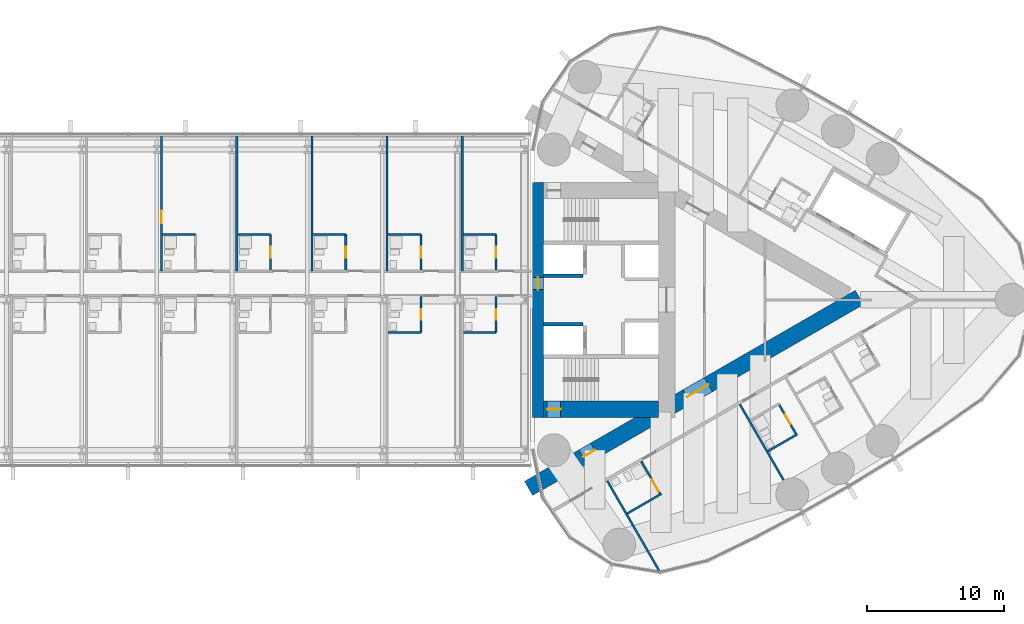
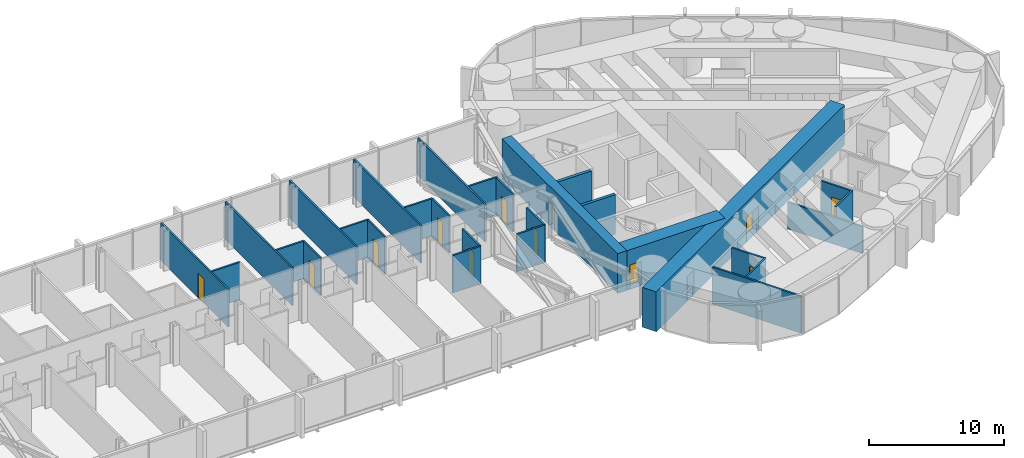
# One storey, part 18 of 23: 29 walls, 13 doors, 13 openings.
"""IFC4 building model written with IfcOpenShell, lengths in metres."""

import ifcopenshell
import ifcopenshell.guid

model = None  # the IFC model being written
_history = None  # IfcOwnerHistory: only IFC2X3 demands one
_inside = {}  # id of a spatial element -> (the spatial element, [elements in it])
_under = {}  # id of a project, library or spatial element -> (it, [spatial elements below it])
_declared = {}  # id of a project -> (the project, [libraries it declares])
_typed = {}  # id of a type object -> (the type object, [elements of that type])
_made_of = {}  # id of a material, layer set ... -> (it, [elements and type objects made of it])


def new_model(schema):
    """Start an empty IFC model of exactly this schema.

    Asked for "IFC4X3", IfcOpenShell would pick the latest addendum, in which some entities
    have other attributes; the version numbers below select the first issue.
    IFC2X3 requires an IfcOwnerHistory on every rooted entity: one is made here for all.
    """
    global model, _history
    if schema == "IFC4X3":
        model = ifcopenshell.file(schema_version=(4, 3, 0, 0))
    else:
        model = ifcopenshell.file(schema=schema)
    _inside.clear()
    _under.clear()
    _declared.clear()
    _typed.clear()
    _made_of.clear()
    _history = None
    if model.schema == "IFC2X3":
        org = make("IfcOrganization", Name="unknown")
        user = make(
            "IfcPersonAndOrganization",
            ThePerson=make("IfcPerson", FamilyName="unknown"),
            TheOrganization=org,
        )
        app = make(
            "IfcApplication",
            ApplicationDeveloper=org,
            Version="unknown",
            ApplicationFullName="unknown",
            ApplicationIdentifier="unknown",
        )
        _history = make(
            "IfcOwnerHistory",
            OwningUser=user,
            OwningApplication=app,
            ChangeAction="ADDED",
            CreationDate=0,
        )
    return model


def make(cls, **values):
    """One entity of the class cls with the attributes given. An attribute that is None is left unset."""
    return model.create_entity(
        cls, **{name: value for name, value in values.items() if value is not None}
    )


def rooted(cls, **values):
    """An entity with a GlobalId (a new one), such as an element, a storey or a relation."""
    return make(cls, GlobalId=ifcopenshell.guid.new(), OwnerHistory=_history, **values)


def si_unit(unit_type, name, prefix=None):
    """IfcSIUnit, for example si_unit("LENGTHUNIT", "METRE", prefix="MILLI")."""
    return make("IfcSIUnit", UnitType=unit_type, Prefix=prefix, Name=name)


def assignment(units):
    """IfcUnitAssignment: the units of a project."""
    return None if units is None else make("IfcUnitAssignment", Units=units)


def point(xyz):
    """IfcCartesianPoint."""
    return None if xyz is None else make("IfcCartesianPoint", Coordinates=xyz)


def direction(xyz):
    """IfcDirection."""
    return None if xyz is None else make("IfcDirection", DirectionRatios=xyz)


def frame(location, z_axis=None, x_axis=None):
    """IfcAxis2Placement3D, a coordinate frame: its origin and axes. An axis left out is left unset."""
    return make(
        "IfcAxis2Placement3D",
        Location=point(location),
        Axis=direction(z_axis),
        RefDirection=direction(x_axis),
    )


def frame_2d(location, x_axis=None):
    """IfcAxis2Placement2D, a coordinate frame in the plane: its origin and x axis."""
    return make(
        "IfcAxis2Placement2D", Location=point(location), RefDirection=direction(x_axis)
    )


def origin():
    """The frame at (0, 0, 0) with its axes left unset."""
    return frame((0.0, 0.0, 0.0))


def place(relative_to, where):
    """IfcLocalPlacement: puts the frame where relative to a parent placement (None: the world)."""
    return make(
        "IfcLocalPlacement", PlacementRelTo=relative_to, RelativePlacement=where
    )


def context(
    kind, dimensions, precision=None, world=None, true_north=None, identifier=None
):
    """IfcGeometricRepresentationContext, for example the 3D "Model" context."""
    return make(
        "IfcGeometricRepresentationContext",
        ContextIdentifier=identifier,
        ContextType=kind,
        CoordinateSpaceDimension=dimensions,
        Precision=precision,
        WorldCoordinateSystem=world,
        TrueNorth=true_north,
    )


def subcontext(parent, identifier, kind, view, scale=None):
    """IfcGeometricRepresentationSubContext, for example "Body" below "Model"."""
    return make(
        "IfcGeometricRepresentationSubContext",
        ContextIdentifier=identifier,
        ContextType=kind,
        ParentContext=parent,
        TargetScale=scale,
        TargetView=view,
    )


def project(units=None, contexts=None):
    """IfcProject with its units and contexts."""
    return rooted(
        "IfcProject",
        Name="project",
        RepresentationContexts=contexts,
        UnitsInContext=assignment(units),
    )


def spatial(cls, under=None, at=None, **own):
    """A site, building, storey or space (cls), placed at a placement, below another one or the project."""
    s = rooted(cls, ObjectPlacement=at, **own)
    if under is not None:
        _under.setdefault(under.id(), (under, []))[1].append(s)
    return s


def profile(cls, at=None, kind="AREA", **sizes):
    """A parametric profile (cls). Its sizes go by their IFC names, for example OverallWidth=200.0."""
    return make(cls, ProfileType=kind, Position=at, **sizes)


def rectangle(**sizes):
    """IfcRectangleProfileDef."""
    return profile("IfcRectangleProfileDef", **sizes)


def extrude(swept, where, along, depth):
    """IfcExtrudedAreaSolid: the profile swept, set in the frame where, extruded along a direction by depth."""
    return make(
        "IfcExtrudedAreaSolid",
        SweptArea=swept,
        Position=where,
        ExtrudedDirection=direction(along),
        Depth=depth,
    )


def shape(context_of_items, identifier, shape_type, items):
    """IfcShapeRepresentation: the items that make up one representation, for example the "Body"."""
    return make(
        "IfcShapeRepresentation",
        ContextOfItems=context_of_items,
        RepresentationIdentifier=identifier,
        RepresentationType=shape_type,
        Items=items,
    )


def material(Name=None, Category=None):
    """IfcMaterial."""
    return make("IfcMaterial", Name=Name, Category=Category)


def layer(
    of_material, thickness, ventilated=None, Name=None, Category=None, Priority=None
):
    """IfcMaterialLayer: one layer of a wall or slab, of a material (None: an air gap)."""
    return make(
        "IfcMaterialLayer",
        Material=of_material,
        LayerThickness=thickness,
        IsVentilated=ventilated,
        Name=Name,
        Category=Category,
        Priority=Priority,
    )


def layer_set(layers, Name=None):
    """IfcMaterialLayerSet."""
    return make("IfcMaterialLayerSet", MaterialLayers=layers, LayerSetName=Name)


def made_of(thing, what):
    """Note that an element or type object is made of a material, layer set ...; save() writes the relation."""
    if what is not None:
        _made_of.setdefault(what.id(), (what, []))[1].append(thing)
    return thing


def type_object(cls, material=None, **own):
    """A type object (cls), such as IfcWallType, which elements share."""
    return made_of(rooted(cls, **own), material)


def element(
    cls,
    number,
    at=None,
    inside=None,
    cuts=None,
    type_object=None,
    material=None,
    context=None,
    identifier="Body",
    shape_type=None,
    held_by="IfcProductDefinitionShape",
    body=None,
    shapes=None,
    **own,
):
    """One element of the class cls, such as IfcWall. Its Tag is "e" and its number.

    at: its placement. inside: the storey or other place that contains it. cuts: it is an
    opening in that element (IfcRelVoidsElement). A single representation is given by context,
    identifier, shape_type and body (its items); several are given by shapes. held_by: the class
    of the entity that holds the representations. save() writes the other relations.
    """
    e = rooted(cls, Tag="e%d" % number, ObjectPlacement=at, **own)
    if body is not None:
        shapes = [shape(context, identifier, shape_type, body)]
    if shapes is not None:
        e.Representation = make(held_by, Representations=shapes)
    if inside is not None:
        _inside.setdefault(inside.id(), (inside, []))[1].append(e)
    if cuts is not None:
        rooted(
            "IfcRelVoidsElement", RelatingBuildingElement=cuts, RelatedOpeningElement=e
        )
    if type_object is not None:
        _typed.setdefault(type_object.id(), (type_object, []))[1].append(e)
    return made_of(e, material)


def fill(opening, filler):
    """IfcRelFillsElement: the door or window that sits in an opening."""
    return rooted(
        "IfcRelFillsElement",
        RelatingOpeningElement=opening,
        RelatedBuildingElement=filler,
    )


def aggregate(whole, parts):
    """IfcRelAggregates: a whole, such as a stair, and the parts it consists of."""
    return rooted("IfcRelAggregates", RelatingObject=whole, RelatedObjects=parts)


def save(model, path):
    """Write the relations noted so far, then the file.

    IfcRelAggregates (storeys below a building ...), IfcRelContainedInSpatialStructure (elements
    in a storey), IfcRelDefinesByType, IfcRelAssociatesMaterial and IfcRelDeclares: one each for
    every whole, place, type object, material and project.
    """
    for whole, parts in _under.values():
        aggregate(whole, parts)
    for where, things in _inside.values():
        rooted(
            "IfcRelContainedInSpatialStructure",
            RelatedElements=things,
            RelatingStructure=where,
        )
    for kind, things in _typed.values():
        rooted("IfcRelDefinesByType", RelatedObjects=things, RelatingType=kind)
    for what, things in _made_of.values():
        rooted("IfcRelAssociatesMaterial", RelatedObjects=things, RelatingMaterial=what)
    for by, libraries in _declared.values():
        rooted("IfcRelDeclares", RelatingContext=by, RelatedDefinitions=libraries)
    model.write(path)


model = new_model("IFC4")

# Units and contexts
model_context = context("Model", 3, precision=1e-05, world=origin(), true_north=direction((0.0, 1.0)))
body_context = subcontext(model_context, "Body", "Model", "MODEL_VIEW")
ifc_project = project(units=[si_unit("LENGTHUNIT", "METRE"), si_unit("AREAUNIT", "SQUARE_METRE"), si_unit("VOLUMEUNIT", "CUBIC_METRE"), si_unit("PLANEANGLEUNIT", "RADIAN"), si_unit("MASSUNIT", "GRAM", prefix="KILO")], contexts=[model_context])

# Site, building, storey
site_placement = place(None, origin())
site = spatial("IfcSite", under=ifc_project, at=site_placement, CompositionType="ELEMENT")
building_placement = place(site_placement, origin())
building = spatial("IfcBuilding", under=site, at=building_placement, Name="Lancet Gate Hotel", CompositionType="ELEMENT")
storey_placement = place(building_placement, frame((0.0, 0.0, 218.89990234375)))
storey = spatial("IfcBuildingStorey", under=building, at=storey_placement, Name="L58", CompositionType="ELEMENT", Elevation=218.89990234375)

# Wall
ifc_material_1 = material(Name="Moisture resistant board partition")
ifc_layer_1 = layer(ifc_material_1, 0.14990234375)
ifc_layer_set_1 = layer_set([ifc_layer_1], Name="Bathroom wall 150")
wall_type_1 = type_object("IfcWallType", Name="Bathroom wall 150", PredefinedType="PARTITIONING", material=ifc_layer_set_1)
wall_1_placement = place(storey_placement, frame((34.425048828125, -15.633056640625, 0.0), z_axis=(0.0, 0.0, 1.0), x_axis=(0.866018712932, 0.500011588718, 0.0)))
element("IfcWall", 1, at=wall_1_placement, inside=storey, type_object=wall_type_1, Name="T2 bathroom wall 150 L58", PredefinedType="PARTITIONING", context=body_context, shape_type="SweptSolid", body=[
    extrude(rectangle(XDim=2.875, YDim=0.14990234375, at=frame_2d((1.4375, 0.0))), origin(), (0.0, 0.0, 1.0), 3.35009765625),
])

# Wall, opening, door
wall_2_placement = place(storey_placement, frame((35.449951171875, -11.80810546875, 0.0), z_axis=(0.0, 0.0, 1.0), x_axis=(0.49994636267, -0.866056369097, 0.0)))
wall_2 = element("IfcWall", 2, at=wall_2_placement, inside=storey, type_object=wall_type_1, Name="T2 bathroom wall 150 L58", PredefinedType="PARTITIONING", context=body_context, shape_type="SweptSolid", body=[
    extrude(rectangle(XDim=2.800048828125, YDim=0.14990234375, at=frame_2d((1.39990234375, 0.0))), origin(), (0.0, 0.0, 1.0), 3.35009765625),
])
opening_1_placement = place(wall_2_placement, frame((1.550048828125, 0.0, 0.0)))
opening_1 = element("IfcOpeningElement", 3, at=opening_1_placement, cuts=wall_2, Name="Opening 5852-B", PredefinedType="OPENING", context=body_context, shape_type="SweptSolid", body=[
    extrude(rectangle(XDim=1.0, YDim=2.199951171875, at=frame_2d((0.5, 1.10009765625))), frame((0.0, 0.0849609375, 0.0), z_axis=(0.0, -1.0, 0.0), x_axis=(1.0, 0.0, 0.0)), (0.0, 0.0, 1.0), 0.169921875),
])
ifc_material_2 = material(Name="Timber door set", Category="wood")
door_type_1 = type_object("IfcDoorType", Name="Accessible en-suite door 1000", OperationType="SINGLE_SWING_RIGHT", PredefinedType="DOOR", material=ifc_material_2)
door_1_placement = place(opening_1_placement, origin())
door_1 = element("IfcDoor", 4, at=door_1_placement, inside=storey, type_object=door_type_1, Name="5852-B", OperationType="SINGLE_SWING_RIGHT", OverallHeight=2.199951171875, OverallWidth=1.0, PredefinedType="DOOR", context=body_context, shape_type="SweptSolid", body=[
    extrude(rectangle(XDim=1.0, YDim=2.199951171875, at=frame_2d((0.5, 1.10009765625))), frame((0.0, 0.02490234375, 0.0), z_axis=(0.0, -1.0, 0.0), x_axis=(1.0, 0.0, 0.0)), (0.0, 0.0, 1.0), 0.050048828125),
])
fill(opening_1, door_1)

# Wall
wall_3_placement = place(storey_placement, frame((44.724609375, -11.072265625, 0.0), z_axis=(0.0, 0.0, 1.0), x_axis=(0.866006523861, 0.500032699561, 0.0)))
element("IfcWall", 5, at=wall_3_placement, inside=storey, type_object=wall_type_1, Name="T2 bathroom wall 150 L58", PredefinedType="PARTITIONING", context=body_context, shape_type="SweptSolid", body=[
    extrude(rectangle(XDim=2.474853515625, YDim=0.14990234375, at=frame_2d((1.2373046875, 0.0))), origin(), (0.0, 0.0, 1.0), 3.35009765625),
])

# Wall, opening, door
wall_4_placement = place(storey_placement, frame((45.5029296875, -7.62060546875, 0.0), z_axis=(0.0, 0.0, 1.0), x_axis=(0.500006934395, -0.866021400173, 0.0)))
wall_4 = element("IfcWall", 6, at=wall_4_placement, inside=storey, type_object=wall_type_1, Name="T2 bathroom wall 150 L58", PredefinedType="PARTITIONING", context=body_context, shape_type="SweptSolid", body=[
    extrude(rectangle(XDim=2.60009765625, YDim=0.14990234375, at=frame_2d((1.300048828125, 0.0))), origin(), (0.0, 0.0, 1.0), 3.35009765625),
])
opening_2_placement = place(wall_4_placement, frame((0.89990234375, 0.0, 0.0)))
opening_2 = element("IfcOpeningElement", 7, at=opening_2_placement, cuts=wall_4, Name="Opening 5853-B", PredefinedType="OPENING", context=body_context, shape_type="SweptSolid", body=[
    extrude(rectangle(XDim=0.800048828125, YDim=2.199951171875, at=frame_2d((0.39990234375, 1.10009765625))), frame((0.0, 0.0849609375, 0.0), z_axis=(0.0, -1.0, 0.0), x_axis=(1.0, 0.0, 0.0)), (0.0, 0.0, 1.0), 0.169921875),
])
ifc_material_3 = material(Name="Timber door set", Category="wood")
door_type_2 = type_object("IfcDoorType", Name="Bathroom door 800", OperationType="SINGLE_SWING_RIGHT", PredefinedType="DOOR", material=ifc_material_3)
door_2_placement = place(opening_2_placement, origin())
door_2 = element("IfcDoor", 8, at=door_2_placement, inside=storey, type_object=door_type_2, Name="5853-B", OperationType="SINGLE_SWING_RIGHT", OverallHeight=2.199951171875, OverallWidth=0.800048828125, PredefinedType="DOOR", context=body_context, shape_type="SweptSolid", body=[
    extrude(rectangle(XDim=0.800048828125, YDim=2.199951171875, at=frame_2d((0.39990234375, 1.10009765625))), frame((0.0, 0.02490234375, 0.0), z_axis=(0.0, -1.0, 0.0), x_axis=(1.0, 0.0, 0.0)), (0.0, 0.0, 1.0), 0.050048828125),
])
fill(opening_2, door_2)

# Wall
wall_5_placement = place(storey_placement, frame((16.925048828125, -2.375, 0.0), z_axis=(0.0, 0.0, 1.0), x_axis=(1.0, 0.0, 0.0)))
element("IfcWall", 9, at=wall_5_placement, inside=storey, type_object=wall_type_1, Name="Bridge block bathroom wall 150 L58", PredefinedType="PARTITIONING", context=body_context, shape_type="SweptSolid", body=[
    extrude(rectangle(XDim=2.39990234375, YDim=0.14990234375, at=frame_2d((1.199951171875, 0.0))), origin(), (0.0, 0.0, 1.0), 3.400146484375),
])

# Wall, opening, door
wall_6_placement = place(storey_placement, frame((19.324951171875, -2.375, 0.0), z_axis=(0.0, 0.0, 1.0), x_axis=(0.0, 1.0, 0.0)))
wall_6 = element("IfcWall", 10, at=wall_6_placement, inside=storey, type_object=wall_type_1, Name="Bridge block bathroom wall 150 L58", PredefinedType="PARTITIONING", context=body_context, shape_type="SweptSolid", body=[
    extrude(rectangle(XDim=2.60009765625, YDim=0.14990234375, at=frame_2d((1.300048828125, 0.0))), origin(), (0.0, 0.0, 1.0), 3.400146484375),
])
opening_3_placement = place(wall_6_placement, frame((0.89990234375, 0.0, 0.0)))
opening_3 = element("IfcOpeningElement", 11, at=opening_3_placement, cuts=wall_6, Name="Opening B5809-B", PredefinedType="OPENING", context=body_context, shape_type="SweptSolid", body=[
    extrude(rectangle(XDim=0.800048828125, YDim=2.199951171875, at=frame_2d((0.39990234375, 1.10009765625))), frame((0.0, 0.0849609375, 0.0), z_axis=(0.0, -1.0, 0.0), x_axis=(1.0, 0.0, 0.0)), (0.0, 0.0, 1.0), 0.169921875),
])
door_3_placement = place(opening_3_placement, origin())
door_3 = element("IfcDoor", 12, at=door_3_placement, inside=storey, type_object=door_type_2, Name="B5809-B", OperationType="SINGLE_SWING_RIGHT", OverallHeight=2.199951171875, OverallWidth=0.800048828125, PredefinedType="DOOR", context=body_context, shape_type="SweptSolid", body=[
    extrude(rectangle(XDim=0.800048828125, YDim=2.199951171875, at=frame_2d((0.39990234375, 1.10009765625))), frame((0.0, 0.02490234375, 0.0), z_axis=(0.0, -1.0, 0.0), x_axis=(1.0, 0.0, 0.0)), (0.0, 0.0, 1.0), 0.050048828125),
])
fill(opening_3, door_3)

# Wall
wall_7_placement = place(storey_placement, frame((22.425048828125, -2.375, 0.0), z_axis=(0.0, 0.0, 1.0), x_axis=(1.0, 0.0, 0.0)))
element("IfcWall", 13, at=wall_7_placement, inside=storey, type_object=wall_type_1, Name="Bridge block bathroom wall 150 L58", PredefinedType="PARTITIONING", context=body_context, shape_type="SweptSolid", body=[
    extrude(rectangle(XDim=2.39990234375, YDim=0.14990234375, at=frame_2d((1.199951171875, 0.0))), origin(), (0.0, 0.0, 1.0), 3.400146484375),
])

# Wall, opening, door
wall_8_placement = place(storey_placement, frame((24.824951171875, -2.375, 0.0), z_axis=(0.0, 0.0, 1.0), x_axis=(0.0, 1.0, 0.0)))
wall_8 = element("IfcWall", 14, at=wall_8_placement, inside=storey, type_object=wall_type_1, Name="Bridge block bathroom wall 150 L58", PredefinedType="PARTITIONING", context=body_context, shape_type="SweptSolid", body=[
    extrude(rectangle(XDim=2.60009765625, YDim=0.14990234375, at=frame_2d((1.300048828125, 0.0))), origin(), (0.0, 0.0, 1.0), 3.400146484375),
])
opening_4_placement = place(wall_8_placement, frame((0.89990234375, 0.0, 0.0)))
opening_4 = element("IfcOpeningElement", 15, at=opening_4_placement, cuts=wall_8, Name="Opening B5810-B", PredefinedType="OPENING", context=body_context, shape_type="SweptSolid", body=[
    extrude(rectangle(XDim=0.800048828125, YDim=2.199951171875, at=frame_2d((0.39990234375, 1.10009765625))), frame((0.0, 0.0849609375, 0.0), z_axis=(0.0, -1.0, 0.0), x_axis=(1.0, 0.0, 0.0)), (0.0, 0.0, 1.0), 0.169921875),
])
door_4_placement = place(opening_4_placement, origin())
door_4 = element("IfcDoor", 16, at=door_4_placement, inside=storey, type_object=door_type_2, Name="B5810-B", OperationType="SINGLE_SWING_RIGHT", OverallHeight=2.199951171875, OverallWidth=0.800048828125, PredefinedType="DOOR", context=body_context, shape_type="SweptSolid", body=[
    extrude(rectangle(XDim=0.800048828125, YDim=2.199951171875, at=frame_2d((0.39990234375, 1.10009765625))), frame((0.0, 0.02490234375, 0.0), z_axis=(0.0, -1.0, 0.0), x_axis=(1.0, 0.0, 0.0)), (0.0, 0.0, 1.0), 0.050048828125),
])
fill(opening_4, door_4)

# Walls
for number, where, z_axis, x_axis, name in (
    (17, (0.425048828125, 4.77490234375, 0.0), (0.0, 0.0, 1.0), (1.0, 0.0, 0.0), "Bridge block bathroom wall 150 L58"),
    (18, (5.925048828125, 4.77490234375, 0.0), (0.0, 0.0, 1.0), (1.0, 0.0, 0.0), "Bridge block bathroom wall 150 L58"),
):
    element("IfcWall", number, at=place(storey_placement, frame(where, z_axis=z_axis, x_axis=x_axis)), inside=storey, type_object=wall_type_1, Name=name, PredefinedType="PARTITIONING", context=body_context, shape_type="SweptSolid", body=[
        extrude(rectangle(XDim=2.39990234375, YDim=0.14990234375, at=frame_2d((1.199951171875, 0.0))), origin(), (0.0, 0.0, 1.0), 3.400146484375),
    ])

# Wall, opening, door
wall_9_placement = place(storey_placement, frame((8.324951171875, 2.175048828125, 0.0), z_axis=(0.0, 0.0, 1.0), x_axis=(0.0, 1.0, 0.0)))
wall_9 = element("IfcWall", 19, at=wall_9_placement, inside=storey, type_object=wall_type_1, Name="Bridge block bathroom wall 150 L58", PredefinedType="PARTITIONING", context=body_context, shape_type="SweptSolid", body=[
    extrude(rectangle(XDim=2.599853515625, YDim=0.14990234375, at=frame_2d((1.2998046875, 0.0))), origin(), (0.0, 0.0, 1.0), 3.400146484375),
])
opening_5_placement = place(wall_9_placement, frame((0.89990234375, 0.0, 0.0)))
opening_5 = element("IfcOpeningElement", 20, at=opening_5_placement, cuts=wall_9, Name="Opening B5817-B", PredefinedType="OPENING", context=body_context, shape_type="SweptSolid", body=[
    extrude(rectangle(XDim=0.800048828125, YDim=2.199951171875, at=frame_2d((0.39990234375, 1.10009765625))), frame((0.0, 0.0849609375, 0.0), z_axis=(0.0, -1.0, 0.0), x_axis=(1.0, 0.0, 0.0)), (0.0, 0.0, 1.0), 0.169921875),
])
door_5_placement = place(opening_5_placement, origin())
door_5 = element("IfcDoor", 21, at=door_5_placement, inside=storey, type_object=door_type_2, Name="B5817-B", OperationType="SINGLE_SWING_RIGHT", OverallHeight=2.199951171875, OverallWidth=0.800048828125, PredefinedType="DOOR", context=body_context, shape_type="SweptSolid", body=[
    extrude(rectangle(XDim=0.800048828125, YDim=2.199951171875, at=frame_2d((0.39990234375, 1.10009765625))), frame((0.0, 0.02490234375, 0.0), z_axis=(0.0, -1.0, 0.0), x_axis=(1.0, 0.0, 0.0)), (0.0, 0.0, 1.0), 0.050048828125),
])
fill(opening_5, door_5)

# Wall
wall_10_placement = place(storey_placement, frame((11.425048828125, 4.77490234375, 0.0), z_axis=(0.0, 0.0, 1.0), x_axis=(1.0, 0.0, 0.0)))
element("IfcWall", 22, at=wall_10_placement, inside=storey, type_object=wall_type_1, Name="Bridge block bathroom wall 150 L58", PredefinedType="PARTITIONING", context=body_context, shape_type="SweptSolid", body=[
    extrude(rectangle(XDim=2.39990234375, YDim=0.14990234375, at=frame_2d((1.199951171875, 0.0))), origin(), (0.0, 0.0, 1.0), 3.400146484375),
])

# Wall, opening, door
wall_11_placement = place(storey_placement, frame((13.824951171875, 2.175048828125, 0.0), z_axis=(0.0, 0.0, 1.0), x_axis=(0.0, 1.0, 0.0)))
wall_11 = element("IfcWall", 23, at=wall_11_placement, inside=storey, type_object=wall_type_1, Name="Bridge block bathroom wall 150 L58", PredefinedType="PARTITIONING", context=body_context, shape_type="SweptSolid", body=[
    extrude(rectangle(XDim=2.599853515625, YDim=0.14990234375, at=frame_2d((1.2998046875, 0.0))), origin(), (0.0, 0.0, 1.0), 3.400146484375),
])
opening_6_placement = place(wall_11_placement, frame((0.89990234375, 0.0, 0.0)))
opening_6 = element("IfcOpeningElement", 24, at=opening_6_placement, cuts=wall_11, Name="Opening B5818-B", PredefinedType="OPENING", context=body_context, shape_type="SweptSolid", body=[
    extrude(rectangle(XDim=0.800048828125, YDim=2.199951171875, at=frame_2d((0.39990234375, 1.10009765625))), frame((0.0, 0.0849609375, 0.0), z_axis=(0.0, -1.0, 0.0), x_axis=(1.0, 0.0, 0.0)), (0.0, 0.0, 1.0), 0.169921875),
])
door_6_placement = place(opening_6_placement, origin())
door_6 = element("IfcDoor", 25, at=door_6_placement, inside=storey, type_object=door_type_2, Name="B5818-B", OperationType="SINGLE_SWING_RIGHT", OverallHeight=2.199951171875, OverallWidth=0.800048828125, PredefinedType="DOOR", context=body_context, shape_type="SweptSolid", body=[
    extrude(rectangle(XDim=0.800048828125, YDim=2.199951171875, at=frame_2d((0.39990234375, 1.10009765625))), frame((0.0, 0.02490234375, 0.0), z_axis=(0.0, -1.0, 0.0), x_axis=(1.0, 0.0, 0.0)), (0.0, 0.0, 1.0), 0.050048828125),
])
fill(opening_6, door_6)

# Wall
wall_12_placement = place(storey_placement, frame((16.925048828125, 4.77490234375, 0.0), z_axis=(0.0, 0.0, 1.0), x_axis=(1.0, 0.0, 0.0)))
element("IfcWall", 26, at=wall_12_placement, inside=storey, type_object=wall_type_1, Name="Bridge block bathroom wall 150 L58", PredefinedType="PARTITIONING", context=body_context, shape_type="SweptSolid", body=[
    extrude(rectangle(XDim=2.39990234375, YDim=0.14990234375, at=frame_2d((1.199951171875, 0.0))), origin(), (0.0, 0.0, 1.0), 3.400146484375),
])

# Wall, opening, door
wall_13_placement = place(storey_placement, frame((19.324951171875, 2.175048828125, 0.0), z_axis=(0.0, 0.0, 1.0), x_axis=(0.0, 1.0, 0.0)))
wall_13 = element("IfcWall", 27, at=wall_13_placement, inside=storey, type_object=wall_type_1, Name="Bridge block bathroom wall 150 L58", PredefinedType="PARTITIONING", context=body_context, shape_type="SweptSolid", body=[
    extrude(rectangle(XDim=2.599853515625, YDim=0.14990234375, at=frame_2d((1.2998046875, 0.0))), origin(), (0.0, 0.0, 1.0), 3.400146484375),
])
opening_7_placement = place(wall_13_placement, frame((0.89990234375, 0.0, 0.0)))
opening_7 = element("IfcOpeningElement", 28, at=opening_7_placement, cuts=wall_13, Name="Opening B5819-B", PredefinedType="OPENING", context=body_context, shape_type="SweptSolid", body=[
    extrude(rectangle(XDim=0.800048828125, YDim=2.199951171875, at=frame_2d((0.39990234375, 1.10009765625))), frame((0.0, 0.0849609375, 0.0), z_axis=(0.0, -1.0, 0.0), x_axis=(1.0, 0.0, 0.0)), (0.0, 0.0, 1.0), 0.169921875),
])
door_7_placement = place(opening_7_placement, origin())
door_7 = element("IfcDoor", 29, at=door_7_placement, inside=storey, type_object=door_type_2, Name="B5819-B", OperationType="SINGLE_SWING_RIGHT", OverallHeight=2.199951171875, OverallWidth=0.800048828125, PredefinedType="DOOR", context=body_context, shape_type="SweptSolid", body=[
    extrude(rectangle(XDim=0.800048828125, YDim=2.199951171875, at=frame_2d((0.39990234375, 1.10009765625))), frame((0.0, 0.02490234375, 0.0), z_axis=(0.0, -1.0, 0.0), x_axis=(1.0, 0.0, 0.0)), (0.0, 0.0, 1.0), 0.050048828125),
])
fill(opening_7, door_7)

# Wall
wall_14_placement = place(storey_placement, frame((22.425048828125, 4.77490234375, 0.0), z_axis=(0.0, 0.0, 1.0), x_axis=(1.0, 0.0, 0.0)))
element("IfcWall", 30, at=wall_14_placement, inside=storey, type_object=wall_type_1, Name="Bridge block bathroom wall 150 L58", PredefinedType="PARTITIONING", context=body_context, shape_type="SweptSolid", body=[
    extrude(rectangle(XDim=2.39990234375, YDim=0.14990234375, at=frame_2d((1.199951171875, 0.0))), origin(), (0.0, 0.0, 1.0), 3.400146484375),
])

# Wall, opening, door
wall_15_placement = place(storey_placement, frame((24.824951171875, 2.175048828125, 0.0), z_axis=(0.0, 0.0, 1.0), x_axis=(0.0, 1.0, 0.0)))
wall_15 = element("IfcWall", 31, at=wall_15_placement, inside=storey, type_object=wall_type_1, Name="Bridge block bathroom wall 150 L58", PredefinedType="PARTITIONING", context=body_context, shape_type="SweptSolid", body=[
    extrude(rectangle(XDim=2.599853515625, YDim=0.14990234375, at=frame_2d((1.2998046875, 0.0))), origin(), (0.0, 0.0, 1.0), 3.400146484375),
])
opening_8_placement = place(wall_15_placement, frame((0.89990234375, 0.0, 0.0)))
opening_8 = element("IfcOpeningElement", 32, at=opening_8_placement, cuts=wall_15, Name="Opening B5820-B", PredefinedType="OPENING", context=body_context, shape_type="SweptSolid", body=[
    extrude(rectangle(XDim=0.800048828125, YDim=2.199951171875, at=frame_2d((0.39990234375, 1.10009765625))), frame((0.0, 0.0849609375, 0.0), z_axis=(0.0, -1.0, 0.0), x_axis=(1.0, 0.0, 0.0)), (0.0, 0.0, 1.0), 0.169921875),
])
door_8_placement = place(opening_8_placement, origin())
door_8 = element("IfcDoor", 33, at=door_8_placement, inside=storey, type_object=door_type_2, Name="B5820-B", OperationType="SINGLE_SWING_RIGHT", OverallHeight=2.199951171875, OverallWidth=0.800048828125, PredefinedType="DOOR", context=body_context, shape_type="SweptSolid", body=[
    extrude(rectangle(XDim=0.800048828125, YDim=2.199951171875, at=frame_2d((0.39990234375, 1.10009765625))), frame((0.0, 0.02490234375, 0.0), z_axis=(0.0, -1.0, 0.0), x_axis=(1.0, 0.0, 0.0)), (0.0, 0.0, 1.0), 0.050048828125),
])
fill(opening_8, door_8)

# Wall, openings, doors
ifc_material_4 = material(Name="Concrete C70/85", Category="concrete")
ifc_layer_2 = layer(ifc_material_4, 1.199951171875)
ifc_layer_set_2 = layer_set([ifc_layer_2], Name="Buttress wall 1200")
wall_type_2 = type_object("IfcWallType", Name="Buttress wall 1200", PredefinedType="SHEAR", material=ifc_layer_set_2)
wall_16_placement = place(storey_placement, frame((27.199951171875, -13.800048828125, 0.0), z_axis=(0.0, 0.0, 1.0), x_axis=(0.866027159892, 0.499996958321, 0.0)))
wall_16 = element("IfcWall", 34, at=wall_16_placement, inside=storey, type_object=wall_type_2, Name="T2 buttress wall S L58", PredefinedType="SHEAR", context=body_context, shape_type="SweptSolid", body=[
    extrude(rectangle(XDim=27.946533203125, YDim=1.199951171875, at=frame_2d((13.97314453125, 0.0))), origin(), (0.0, 0.0, 1.0), 3.60009765625),
])
opening_9_placement = place(wall_16_placement, frame((4.60009765625, 0.0, 0.0)))
opening_9 = element("IfcOpeningElement", 35, at=opening_9_placement, cuts=wall_16, Name="Opening T2-L58-LS", PredefinedType="OPENING", context=body_context, shape_type="SweptSolid", body=[
    extrude(rectangle(XDim=1.0, YDim=2.199951171875, at=frame_2d((0.5, 1.10009765625))), frame((0.0, 0.60986328125, 0.0), z_axis=(0.0, -1.0, 0.0), x_axis=(1.0, 0.0, 0.0)), (0.0, 0.0, 1.0), 1.219970703125),
])
opening_10_placement = place(wall_16_placement, frame((13.39453125, 0.0, 0.0)))
opening_10 = element("IfcOpeningElement", 36, at=opening_10_placement, cuts=wall_16, Name="Opening T2-L58-LHS", PredefinedType="OPENING", context=body_context, shape_type="SweptSolid", body=[
    extrude(rectangle(XDim=1.800048828125, YDim=2.199951171875, at=frame_2d((0.89990234375, 1.10009765625))), frame((0.0, 0.60986328125, 0.0), z_axis=(0.0, -1.0, 0.0), x_axis=(1.0, 0.0, 0.0)), (0.0, 0.0, 1.0), 1.219970703125),
])
ifc_material_5 = material(Name="Timber door set", Category="wood")
door_type_3 = type_object("IfcDoorType", Name="Lobby double door 1800", OperationType="DOUBLE_DOOR_SINGLE_SWING", PredefinedType="DOOR", material=ifc_material_5)
door_9_placement = place(opening_10_placement, origin())
door_9 = element("IfcDoor", 37, at=door_9_placement, inside=storey, type_object=door_type_3, Name="T2-L58-LHS", OperationType="DOUBLE_DOOR_SINGLE_SWING", OverallHeight=2.199951171875, OverallWidth=1.800048828125, PredefinedType="DOOR", context=body_context, shape_type="SweptSolid", body=[
    extrude(rectangle(XDim=1.800048828125, YDim=2.199951171875, at=frame_2d((0.89990234375, 1.10009765625))), frame((0.0, 0.02490234375, 0.0), z_axis=(0.0, -1.0, 0.0), x_axis=(1.0, 0.0, 0.0)), (0.0, 0.0, 1.0), 0.050048828125),
])
fill(opening_10, door_9)
ifc_material_6 = material(Name="Timber door set", Category="wood")
door_type_4 = type_object("IfcDoorType", Name="Stair lobby door 1000", OperationType="SINGLE_SWING_LEFT", PredefinedType="DOOR", material=ifc_material_6)
door_10_placement = place(opening_9_placement, origin())
door_10 = element("IfcDoor", 38, at=door_10_placement, inside=storey, type_object=door_type_4, Name="T2-L58-LS", OperationType="SINGLE_SWING_LEFT", OverallHeight=2.199951171875, OverallWidth=1.0, PredefinedType="DOOR", context=body_context, shape_type="SweptSolid", body=[
    extrude(rectangle(XDim=1.0, YDim=2.199951171875, at=frame_2d((0.5, 1.10009765625))), frame((0.0, 0.02490234375, 0.0), z_axis=(0.0, -1.0, 0.0), x_axis=(1.0, 0.0, 0.0)), (0.0, 0.0, 1.0), 0.050048828125),
])
fill(opening_9, door_10)

# Wall, opening, door
ifc_material_7 = material(Name="Concrete C70/85", Category="concrete")
ifc_layer_3 = layer(ifc_material_7, 1.199951171875)
ifc_layer_set_3 = layer_set([ifc_layer_3], Name="Core wall 1200")
wall_type_3 = type_object("IfcWallType", Name="Core wall 1200", PredefinedType="SHEAR", material=ifc_layer_set_3)
wall_17_placement = place(storey_placement, frame((28.300048828125, -8.0, 0.0), z_axis=(0.0, 0.0, 1.0), x_axis=(1.0, 0.0, 0.0)))
wall_17 = element("IfcWall", 39, at=wall_17_placement, inside=storey, type_object=wall_type_3, Name="T2 core wall side-S L58", PredefinedType="SHEAR", context=body_context, shape_type="SweptSolid", body=[
    extrude(rectangle(XDim=8.39990234375, YDim=1.199951171875, at=frame_2d((4.199951171875, 0.0))), origin(), (0.0, 0.0, 1.0), 3.60009765625),
])
opening_11_placement = place(wall_17_placement, frame((0.25, 0.0, 0.0)))
opening_11 = element("IfcOpeningElement", 40, at=opening_11_placement, cuts=wall_17, Name="Opening T2-L58-ST1", PredefinedType="OPENING", context=body_context, shape_type="SweptSolid", body=[
    extrude(rectangle(XDim=1.0, YDim=2.199951171875, at=frame_2d((0.5, 1.10009765625))), frame((0.0, 0.60986328125, 0.0), z_axis=(0.0, -1.0, 0.0), x_axis=(1.0, 0.0, 0.0)), (0.0, 0.0, 1.0), 1.219970703125),
])
ifc_material_8 = material(Name="Timber door set", Category="wood")
door_type_5 = type_object("IfcDoorType", Name="Stair door 1000", OperationType="SINGLE_SWING_RIGHT", PredefinedType="DOOR", material=ifc_material_8)
door_11_placement = place(opening_11_placement, origin())
door_11 = element("IfcDoor", 41, at=door_11_placement, inside=storey, type_object=door_type_5, Name="T2-L58-ST1", OperationType="SINGLE_SWING_RIGHT", OverallHeight=2.199951171875, OverallWidth=1.0, PredefinedType="DOOR", context=body_context, shape_type="SweptSolid", body=[
    extrude(rectangle(XDim=1.0, YDim=2.199951171875, at=frame_2d((0.5, 1.10009765625))), frame((0.0, 0.02490234375, 0.0), z_axis=(0.0, -1.0, 0.0), x_axis=(1.0, 0.0, 0.0)), (0.0, 0.0, 1.0), 0.050048828125),
])
fill(opening_11, door_11)

ifc_material_9 = material(Name="Concrete C70/85", Category="concrete")
ifc_layer_4 = layer(ifc_material_9, 0.800048828125)
ifc_layer_set_4 = layer_set([ifc_layer_4], Name="Core wall 800")
wall_type_4 = type_object("IfcWallType", Name="Core wall 800", PredefinedType="SHEAR", material=ifc_layer_set_4)
wall_18_placement = place(storey_placement, frame((27.89990234375, -8.60009765625, 0.0), z_axis=(0.0, 0.0, 1.0), x_axis=(0.0, 1.0, 0.0)))
wall_18 = element("IfcWall", 42, at=wall_18_placement, inside=storey, type_object=wall_type_4, Name="T2 core wall front L58", PredefinedType="SHEAR", context=body_context, shape_type="SweptSolid", body=[
    extrude(rectangle(XDim=17.2001953125, YDim=0.800048828125, at=frame_2d((8.60009765625, 0.0))), origin(), (0.0, 0.0, 1.0), 3.60009765625),
])
opening_12_placement = place(wall_18_placement, frame((9.35009765625, 0.0, 0.0)))
opening_12 = element("IfcOpeningElement", 43, at=opening_12_placement, cuts=wall_18, Name="Opening T2-L58-BR", PredefinedType="OPENING", context=body_context, shape_type="SweptSolid", body=[
    extrude(rectangle(XDim=0.89990234375, YDim=2.199951171875, at=frame_2d((0.449951171875, 1.10009765625))), frame((0.0, 0.409912109375, 0.0), z_axis=(0.0, -1.0, 0.0), x_axis=(1.0, 0.0, 0.0)), (0.0, 0.0, 1.0), 0.820068359375),
])
ifc_material_10 = material(Name="Steel door set", Category="steel")
door_type_6 = type_object("IfcDoorType", Name="Bridge fire door 900", OperationType="SINGLE_SWING_LEFT", PredefinedType="DOOR", material=ifc_material_10)
door_12_placement = place(opening_12_placement, origin())
door_12 = element("IfcDoor", 44, at=door_12_placement, inside=storey, type_object=door_type_6, Name="T2-L58-BR", OperationType="SINGLE_SWING_LEFT", OverallHeight=2.199951171875, OverallWidth=0.89990234375, PredefinedType="DOOR", context=body_context, shape_type="SweptSolid", body=[
    extrude(rectangle(XDim=0.89990234375, YDim=2.199951171875, at=frame_2d((0.449951171875, 1.10009765625))), frame((0.0, 0.02490234375, 0.0), z_axis=(0.0, -1.0, 0.0), x_axis=(1.0, 0.0, 0.0)), (0.0, 0.0, 1.0), 0.050048828125),
])
fill(opening_12, door_12)

# Walls
ifc_material_11 = material(Name="Concrete C50/60", Category="concrete")
ifc_layer_5 = layer(ifc_material_11, 0.25)
ifc_layer_set_5 = layer_set([ifc_layer_5], Name="Lift shaft wall 250")
wall_type_5 = type_object("IfcWallType", Name="Lift shaft wall 250", PredefinedType="SHEAR", material=ifc_layer_set_5)
for number, where, z_axis, x_axis, name in (
    (45, (28.300048828125, -1.77490234375, 0.0), (0.0, 0.0, 1.0), (1.0, 0.0, 0.0), "T2 core wall pass1-S L58"),
    (46, (28.300048828125, 1.77490234375, 0.0), (0.0, 0.0, 1.0), (1.0, 0.0, 0.0), "T2 core wall pass1-N L58"),
):
    element("IfcWall", number, at=place(storey_placement, frame(where, z_axis=z_axis, x_axis=x_axis)), inside=storey, type_object=wall_type_5, Name=name, PredefinedType="SHEAR", context=body_context, shape_type="SweptSolid", body=[
        extrude(rectangle(XDim=2.89990234375, YDim=0.25, at=frame_2d((1.449951171875, 0.0))), origin(), (0.0, 0.0, 1.0), 3.60009765625),
    ])
ifc_material_12 = material(Name="Gypsum board partition")
ifc_layer_6 = layer(ifc_material_12, 0.14990234375)
ifc_layer_set_6 = layer_set([ifc_layer_6], Name="Party wall 150")
wall_type_6 = type_object("IfcWallType", Name="Party wall 150", PredefinedType="PARTITIONING", material=ifc_layer_set_6)
wall_19_placement = place(storey_placement, frame((32.9599609375, -13.24560546875, 0.0), z_axis=(0.0, 0.0, 1.0), x_axis=(0.500000236886, -0.866025267018, 0.0)))
element("IfcWall", 47, at=wall_19_placement, inside=storey, type_object=wall_type_6, Name="T2 party wall 150 L58", PredefinedType="PARTITIONING", context=body_context, shape_type="SweptSolid", body=[
    extrude(rectangle(XDim=7.58251953125, YDim=0.14990234375, at=frame_2d((3.791259765625, 0.0))), origin(), (0.0, 0.0, 1.0), 3.35009765625),
])
wall_20_placement = place(storey_placement, frame((42.65966796875, -7.6455078125, 0.0), z_axis=(0.0, 0.0, 1.0), x_axis=(0.499996592859, -0.866027370889, 0.0)))
element("IfcWall", 48, at=wall_20_placement, inside=storey, type_object=wall_type_6, Name="T2 party wall 150 L58", PredefinedType="PARTITIONING", context=body_context, shape_type="SweptSolid", body=[
    extrude(rectangle(XDim=6.3984375, YDim=0.14990234375, at=frame_2d((3.19921875, 0.0))), origin(), (0.0, 0.0, 1.0), 2.4501953125),
])

# Wall, opening, door
wall_21_placement = place(storey_placement, frame((0.35009765625, 2.10009765625, 0.0), z_axis=(0.0, 0.0, 1.0), x_axis=(0.0, 1.0, 0.0)))
wall_21 = element("IfcWall", 49, at=wall_21_placement, inside=storey, type_object=wall_type_6, Name="Bridge block party wall 150 L58", PredefinedType="PARTITIONING", context=body_context, shape_type="SweptSolid", body=[
    extrude(rectangle(XDim=9.969970703125, YDim=0.14990234375, at=frame_2d((4.98486328125, 0.0))), origin(), (0.0, 0.0, 1.0), 3.400146484375),
])
opening_13_placement = place(wall_21_placement, frame((3.5, 0.0, 0.0)))
opening_13 = element("IfcOpeningElement", 50, at=opening_13_placement, cuts=wall_21, Name="Opening B5815-C", PredefinedType="OPENING", context=body_context, shape_type="SweptSolid", body=[
    extrude(rectangle(XDim=0.89990234375, YDim=2.199951171875, at=frame_2d((0.449951171875, 1.10009765625))), frame((0.0, 0.0849609375, 0.0), z_axis=(0.0, -1.0, 0.0), x_axis=(1.0, 0.0, 0.0)), (0.0, 0.0, 1.0), 0.169921875),
])
ifc_material_13 = material(Name="Timber door set", Category="wood")
door_type_7 = type_object("IfcDoorType", Name="Connecting door 900", OperationType="SINGLE_SWING_LEFT", PredefinedType="DOOR", material=ifc_material_13)
door_13_placement = place(opening_13_placement, origin())
door_13 = element("IfcDoor", 51, at=door_13_placement, inside=storey, type_object=door_type_7, Name="B5815-C", OperationType="SINGLE_SWING_LEFT", OverallHeight=2.199951171875, OverallWidth=0.89990234375, PredefinedType="DOOR", context=body_context, shape_type="SweptSolid", body=[
    extrude(rectangle(XDim=0.89990234375, YDim=2.199951171875, at=frame_2d((0.449951171875, 1.10009765625))), frame((0.0, 0.02490234375, 0.0), z_axis=(0.0, -1.0, 0.0), x_axis=(1.0, 0.0, 0.0)), (0.0, 0.0, 1.0), 0.050048828125),
])
fill(opening_13, door_13)

# Walls
for number, where, z_axis, x_axis, name in (
    (52, (5.85009765625, 2.10009765625, 0.0), (0.0, 0.0, 1.0), (0.0, 1.0, 0.0), "Bridge block party wall 150 L58"),
    (53, (11.35009765625, 2.10009765625, 0.0), (0.0, 0.0, 1.0), (0.0, 1.0, 0.0), "Bridge block party wall 150 L58"),
    (54, (16.85009765625, 2.10009765625, 0.0), (0.0, 0.0, 1.0), (0.0, 1.0, 0.0), "Bridge block party wall 150 L58"),
    (55, (22.35009765625, 2.10009765625, 0.0), (0.0, 0.0, 1.0), (0.0, 1.0, 0.0), "Bridge block party wall 150 L58"),
):
    element("IfcWall", number, at=place(storey_placement, frame(where, z_axis=z_axis, x_axis=x_axis)), inside=storey, type_object=wall_type_6, Name=name, PredefinedType="PARTITIONING", context=body_context, shape_type="SweptSolid", body=[
        extrude(rectangle(XDim=9.969970703125, YDim=0.14990234375, at=frame_2d((4.98486328125, 0.0))), origin(), (0.0, 0.0, 1.0), 3.400146484375),
    ])

save(model, "model.ifc")
